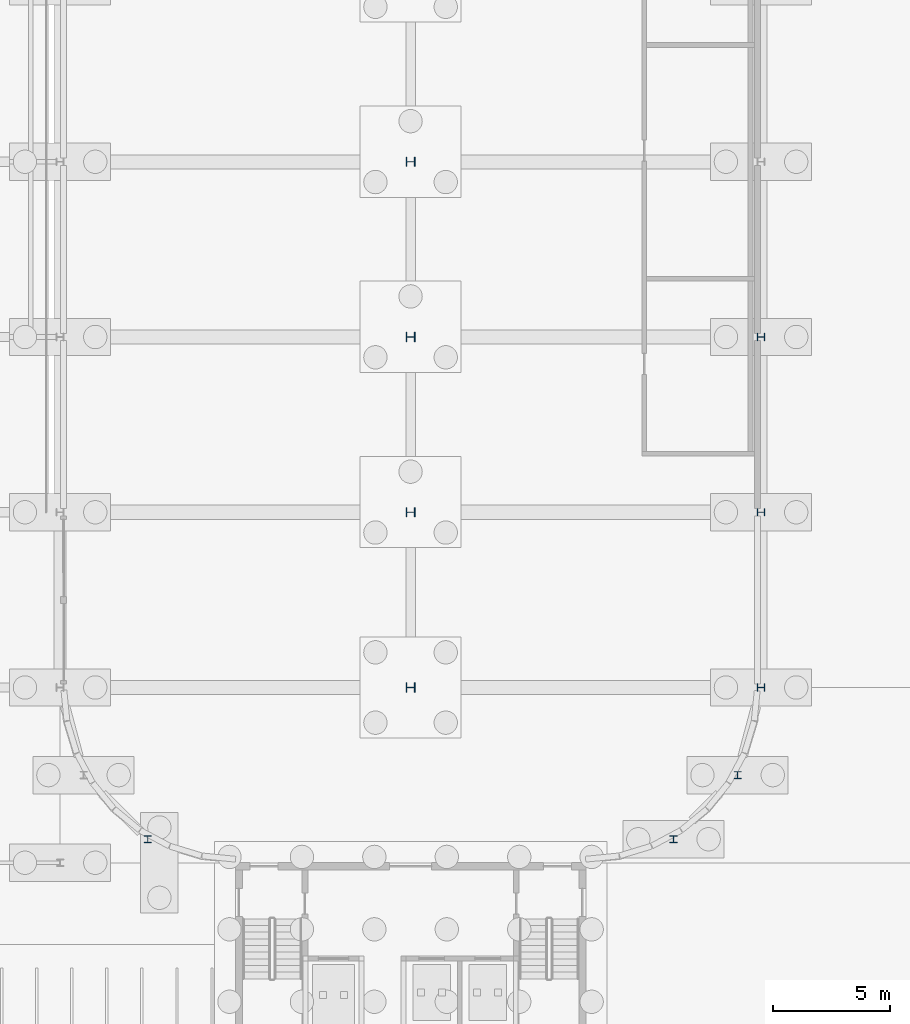
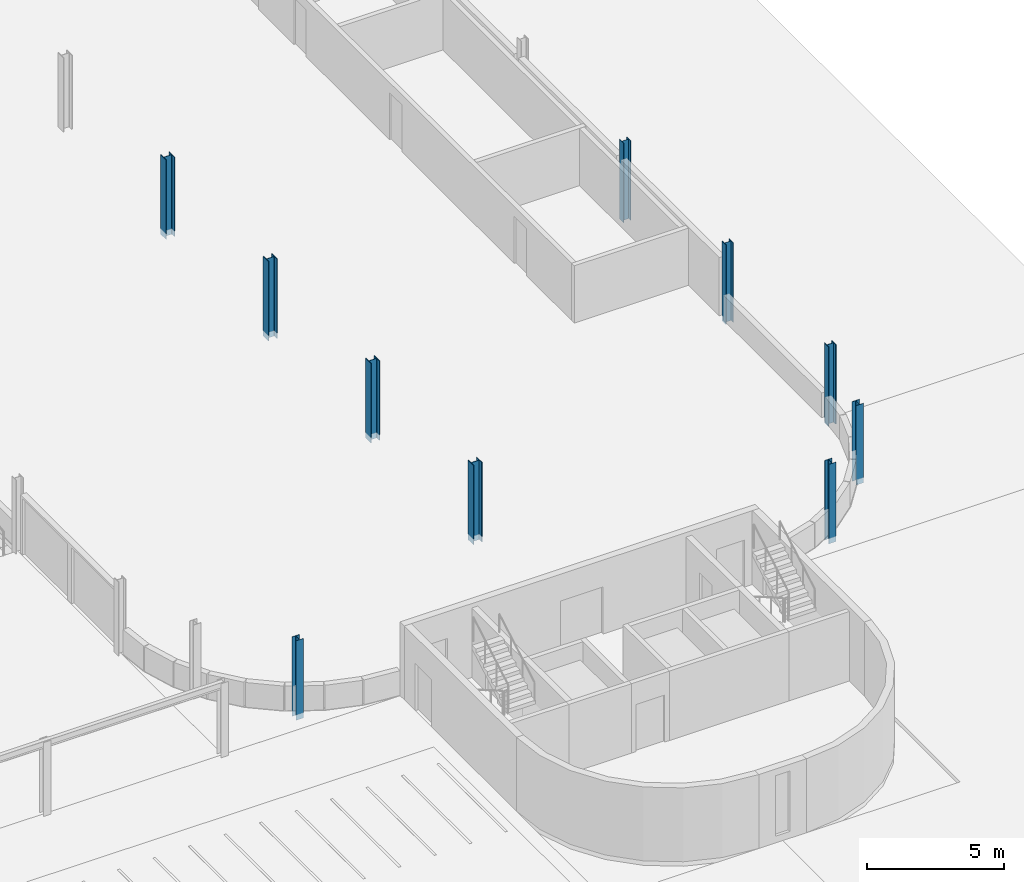
# One storey, part 30 of 130: 10 columns.
"""IFC4 building model written with IfcOpenShell, lengths in metres."""

from ifc_helpers import new_model, si_unit, direction, frame, origin, origin_2d, place, context, subcontext, project, spatial, i_section, extrude, material, material_profile, profile_set, type_object, element, save


model = new_model("IFC4")

# Units and contexts
model_context = context("Model", 3, precision=1e-05, world=origin(), true_north=direction((0.0, 1.0)))
body_context = subcontext(model_context, "Body", "Model", "MODEL_VIEW")
ifc_project = project(units=[si_unit("LENGTHUNIT", "METRE"), si_unit("AREAUNIT", "SQUARE_METRE"), si_unit("VOLUMEUNIT", "CUBIC_METRE"), si_unit("PLANEANGLEUNIT", "RADIAN"), si_unit("MASSUNIT", "GRAM", prefix="KILO")], contexts=[model_context])

# Site, building, storey
site_placement = place(None, origin())
site = spatial("IfcSite", under=ifc_project, at=site_placement, CompositionType="ELEMENT")
building_placement = place(site_placement, origin())
building = spatial("IfcBuilding", under=site, at=building_placement, Name="Parallax Yard Mobility Hub", CompositionType="ELEMENT")
storey_placement = place(building_placement, origin())
storey = spatial("IfcBuildingStorey", under=building, at=storey_placement, Name="L00", CompositionType="ELEMENT", Elevation=0.0)

# Columns
ifc_material = material(Name="Steel ASTM A992", Category="steel")
ifc_material_profile_1 = material_profile(ifc_material, i_section(OverallWidth=0.306884765625, OverallDepth=0.318115234375, WebThickness=0.01318359375, FlangeThickness=0.0205078125, FilletRadius=0.01513671875, at=origin_2d()), Name="W310x129")
ifc_profile_set_1 = profile_set([ifc_material_profile_1], Name="Steel ASTM A992")
column_type_1 = type_object("IfcColumnType", Name="W310x129 column", PredefinedType="COLUMN", material=ifc_profile_set_1)
for number, where, z_axis, x_axis, name in (
    (1, (225.0, 45.0, -0.25), (0.0, 0.0, 1.0), (0.0, 1.0, 0.0), "Column C3 level L00 at G/31 of ramped parking decks"),
    (2, (225.0, 37.5, -0.25), (0.0, 0.0, 1.0), (0.0, 1.0, 0.0), "Column C3 level L00 at F/31 of ramped parking decks"),
):
    element("IfcColumn", number, at=place(storey_placement, frame(where, z_axis=z_axis, x_axis=x_axis)), inside=storey, type_object=column_type_1, Name=name, PredefinedType="COLUMN", context=body_context, shape_type="SweptSolid", body=[
        extrude(i_section(OverallWidth=0.306884765625, OverallDepth=0.318115234375, WebThickness=0.01318359375, FlangeThickness=0.0205078125, FilletRadius=0.01513671875, at=origin_2d()), origin(), (0.0, 0.0, 1.0), 3.550048828125),
    ])
ifc_material_profile_2 = material_profile(ifc_material, i_section(OverallWidth=0.31005859375, OverallDepth=0.327880859375, WebThickness=0.015380859375, FlangeThickness=0.025146484375, FilletRadius=0.015380859375, at=origin_2d()), Name="W310x158")
ifc_profile_set_2 = profile_set([ifc_material_profile_2], Name="Steel ASTM A992")
column_type_2 = type_object("IfcColumnType", Name="W310x158 column", PredefinedType="COLUMN", material=ifc_profile_set_2)
column_placement = place(storey_placement, frame((225.0, 30.0, -0.25), z_axis=(0.0, 0.0, 1.0), x_axis=(0.0, 1.0, 0.0)))
element("IfcColumn", 3, at=column_placement, inside=storey, type_object=column_type_2, Name="Column C6 level L00 at E/31 of ramped parking decks", PredefinedType="COLUMN", context=body_context, shape_type="SweptSolid", body=[
    extrude(i_section(OverallWidth=0.31005859375, OverallDepth=0.327880859375, WebThickness=0.015380859375, FlangeThickness=0.025146484375, FilletRadius=0.015380859375, at=origin_2d()), origin(), (0.0, 0.0, 1.0), 3.550048828125),
])
ifc_material_profile_3 = material_profile(ifc_material, i_section(OverallWidth=0.304931640625, OverallDepth=0.306884765625, WebThickness=0.010009765625, FlangeThickness=0.015380859375, FilletRadius=0.01513671875, at=origin_2d()), Name="W310x97")
ifc_profile_set_3 = profile_set([ifc_material_profile_3], Name="Steel ASTM A992")
column_type_3 = type_object("IfcColumnType", Name="W310x97 column", PredefinedType="COLUMN", material=ifc_profile_set_3)
for number, where, z_axis, x_axis, name in (
    (4, (198.75, 23.5048828125, -0.25), (0.0, 0.0, 1.0), (1.0, 0.0, 0.0), "Column C1 level L00 at S-W2 of ramped parking decks"),
    (5, (221.25, 23.5048828125, -0.25), (0.0, 0.0, 1.0), (1.0, 0.0, 0.0), "Column C1 level L00 at S-E1 of ramped parking decks"),
    (6, (223.9951171875, 26.25, -0.25), (0.0, 0.0, 1.0), (1.0, 0.0, 0.0), "Column C1 level L00 at S-E2 of ramped parking decks"),
):
    element("IfcColumn", number, at=place(storey_placement, frame(where, z_axis=z_axis, x_axis=x_axis)), inside=storey, type_object=column_type_3, Name=name, PredefinedType="COLUMN", context=body_context, shape_type="SweptSolid", body=[
        extrude(i_section(OverallWidth=0.304931640625, OverallDepth=0.306884765625, WebThickness=0.010009765625, FlangeThickness=0.015380859375, FilletRadius=0.01513671875, at=origin_2d()), origin(), (0.0, 0.0, 1.0), 3.550048828125),
    ])
ifc_material_profile_4 = material_profile(ifc_material, i_section(OverallWidth=0.39599609375, OverallDepth=0.381103515625, WebThickness=0.018798828125, FlangeThickness=0.0302734375, FilletRadius=0.015380859375, at=origin_2d()), Name="W360x237")
ifc_profile_set_4 = profile_set([ifc_material_profile_4], Name="Steel ASTM A992")
column_type_4 = type_object("IfcColumnType", Name="W360x237 column", PredefinedType="COLUMN", material=ifc_profile_set_4)
for number, where, z_axis, x_axis, name in (
    (7, (210.0, 52.5, -0.25), (0.0, 0.0, 1.0), (0.0, 1.0, 0.0), "Column C10 level L00 at H/29 of ramped parking decks"),
    (8, (210.0, 45.0, -0.25), (0.0, 0.0, 1.0), (0.0, 1.0, 0.0), "Column C10 level L00 at G/29 of ramped parking decks"),
    (9, (210.0, 37.5, -0.25), (0.0, 0.0, 1.0), (0.0, 1.0, 0.0), "Column C10 level L00 at F/29 of ramped parking decks"),
    (10, (210.0, 30.0, -0.25), (0.0, 0.0, 1.0), (0.0, 1.0, 0.0), "Column C10 level L00 at E/29 of ramped parking decks"),
):
    element("IfcColumn", number, at=place(storey_placement, frame(where, z_axis=z_axis, x_axis=x_axis)), inside=storey, type_object=column_type_4, Name=name, PredefinedType="COLUMN", context=body_context, shape_type="SweptSolid", body=[
        extrude(i_section(OverallWidth=0.39599609375, OverallDepth=0.381103515625, WebThickness=0.018798828125, FlangeThickness=0.0302734375, FilletRadius=0.015380859375, at=origin_2d()), origin(), (0.0, 0.0, 1.0), 3.550048828125),
    ])

save(model, "model.ifc")
